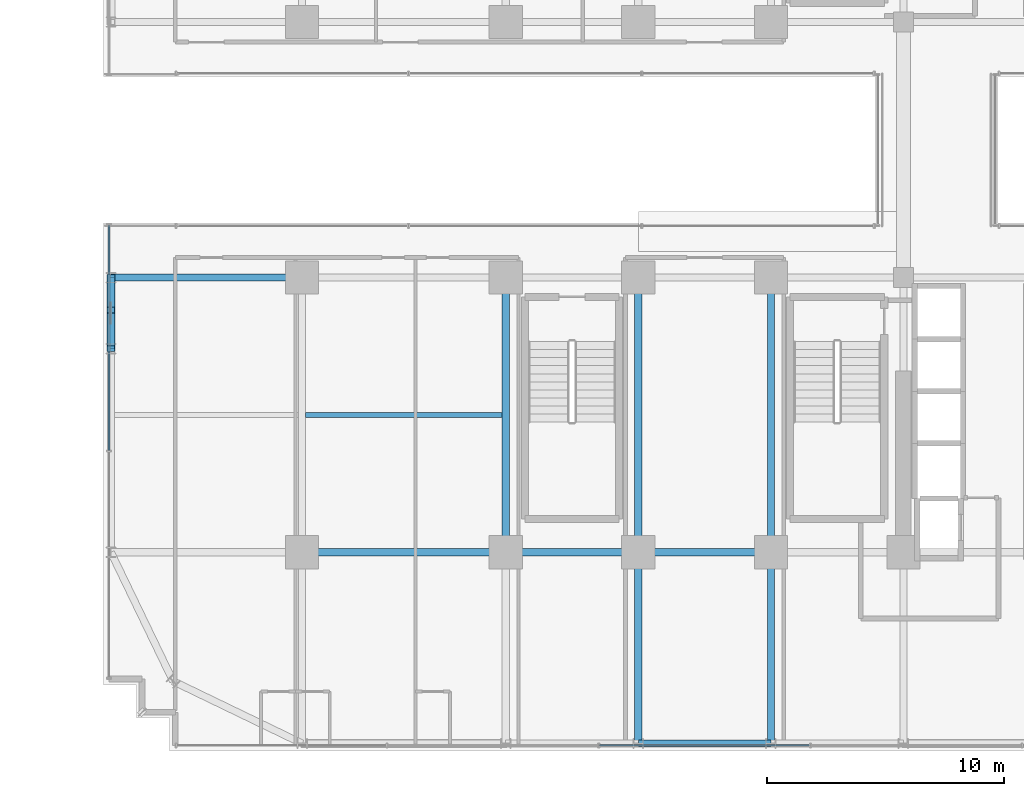
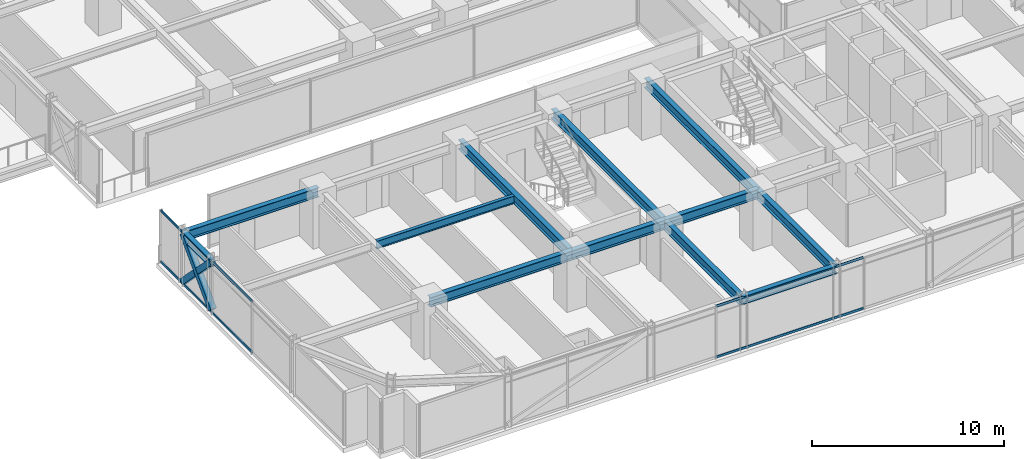
# One storey, part 6 of 43: 12 beams, 7 members, 2 elements without a shape of their own.
"""IFC4 building model written with IfcOpenShell, lengths in metres."""

from ifc_helpers import new_model, si_unit, direction, frame, origin, origin_2d, place, context, subcontext, project, spatial, hollow_rectangle, i_section, extrude, source, transform, mapped, material, material_profile, profile_set, type_object, element, aggregate, save


model = new_model("IFC4")

# Units and contexts
model_context = context("Model", 3, precision=1e-05, world=origin(), true_north=direction((0.0, 1.0)))
body_context = subcontext(model_context, "Body", "Model", "MODEL_VIEW")
ifc_project = project(units=[si_unit("LENGTHUNIT", "METRE"), si_unit("AREAUNIT", "SQUARE_METRE"), si_unit("VOLUMEUNIT", "CUBIC_METRE"), si_unit("PLANEANGLEUNIT", "RADIAN"), si_unit("MASSUNIT", "GRAM", prefix="KILO")], contexts=[model_context])

# Site, building, storey
site_placement = place(None, origin())
site = spatial("IfcSite", under=ifc_project, at=site_placement, CompositionType="ELEMENT")
building_placement = place(site_placement, origin())
building = spatial("IfcBuilding", under=site, at=building_placement, Name="Nahalor Promenade Grand Hotel", CompositionType="ELEMENT")
storey_placement = place(building_placement, frame((0.0, 0.0, 47.0)))
storey = spatial("IfcBuildingStorey", under=building, at=storey_placement, Name="L10", CompositionType="ELEMENT", Elevation=47.0)

# Beams
ifc_material_1 = material(Name="Steel S355JR", Category="steel")
ifc_material_profile_1 = material_profile(ifc_material_1, i_section(OverallWidth=0.3, OverallDepth=0.6, WebThickness=0.0155, FlangeThickness=0.03, at=origin_2d()), Name="HEB 600")
ifc_profile_set_1 = profile_set([ifc_material_profile_1], Name="Steel S355JR")
beam_type_1 = type_object("IfcBeamType", Name="Beam-Girder-HEB600", PredefinedType="BEAM", material=ifc_profile_set_1)
shared_shape_1 = source(origin(), body_context, "Body", "SweptSolid", [
    extrude(i_section(OverallWidth=0.3, OverallDepth=0.6, WebThickness=0.0155, FlangeThickness=0.03, at=origin_2d()), origin(), (0.0, 0.0, 1.0), 8.60009765625),
])
beam_1_placement = place(storey_placement, frame((-17.0, -17.0, 3.070068359375), z_axis=(1.0, 0.0, 0.0), x_axis=(0.0, 1.0, 0.0)))
element("IfcBeam", 1, at=beam_1_placement, inside=storey, type_object=beam_type_1, Name="BM-L10-GX-0-1", PredefinedType="BEAM", context=body_context, shape_type="MappedRepresentation", body=[
    mapped(shared_shape_1, transform((0.0, 0.0, 0.0), scale=1.0)),
])
shared_shape_2 = source(origin(), body_context, "Body", "SweptSolid", [
    extrude(i_section(OverallWidth=0.3, OverallDepth=0.6, WebThickness=0.0155, FlangeThickness=0.03, at=origin_2d()), origin(), (0.0, 0.0, 1.0), 5.599853515625),
])
beam_2_placement = place(storey_placement, frame((-8.39990234375, -17.0, 3.070068359375), z_axis=(1.0, 0.0, 0.0), x_axis=(0.0, 1.0, 0.0)))
element("IfcBeam", 2, at=beam_2_placement, inside=storey, type_object=beam_type_1, Name="BM-L10-GX-0-2", PredefinedType="BEAM", context=body_context, shape_type="MappedRepresentation", body=[
    mapped(shared_shape_2, transform((0.0, 0.0, 0.0), scale=1.0)),
])
shared_shape_3 = source(origin(), body_context, "Body", "SweptSolid", [
    extrude(i_section(OverallWidth=0.3, OverallDepth=0.6, WebThickness=0.0155, FlangeThickness=0.03, at=origin_2d()), origin(), (0.0, 0.0, 1.0), 5.60009765625),
])
beam_3_placement = place(storey_placement, frame((-2.800048828125, -17.0, 3.070068359375), z_axis=(1.0, 0.0, 0.0), x_axis=(0.0, 1.0, 0.0)))
element("IfcBeam", 3, at=beam_3_placement, inside=storey, type_object=beam_type_1, Name="BM-L10-GX-0-3", PredefinedType="BEAM", context=body_context, shape_type="MappedRepresentation", body=[
    mapped(shared_shape_3, transform((0.0, 0.0, 0.0), scale=1.0)),
])
shared_shape_4 = source(origin(), body_context, "Body", "SweptSolid", [
    extrude(i_section(OverallWidth=0.3, OverallDepth=0.6, WebThickness=0.0155, FlangeThickness=0.03, at=origin_2d()), origin(), (0.0, 0.0, 1.0), 11.60009765625),
])
for number, where, z_axis, x_axis, name in (
    (4, (-8.39990234375, -17.0, 3.070068359375), (0.0, 1.0, 0.0), (-1.0, 0.0, 0.0), "BM-L10-GY-1-1"),
    (5, (-2.800048828125, -17.0, 3.070068359375), (0.0, 1.0, 0.0), (-1.0, 0.0, 0.0), "BM-L10-GY-2-1"),
    (6, (2.800048828125, -17.0, 3.070068359375), (0.0, 1.0, 0.0), (-1.0, 0.0, 0.0), "BM-L10-GY-3-1"),
):
    element("IfcBeam", number, at=place(storey_placement, frame(where, z_axis=z_axis, x_axis=x_axis)), inside=storey, type_object=beam_type_1, Name=name, PredefinedType="BEAM", context=body_context, shape_type="MappedRepresentation", body=[
        mapped(shared_shape_4, transform((0.0, 0.0, 0.0), scale=1.0)),
    ])
ifc_material_profile_2 = material_profile(ifc_material_1, i_section(OverallWidth=0.3, OverallDepth=0.5, WebThickness=0.0145, FlangeThickness=0.028, at=origin_2d()), Name="HEB 500")
ifc_profile_set_2 = profile_set([ifc_material_profile_2], Name="Steel S355JR")
beam_type_2 = type_object("IfcBeamType", Name="Beam-Spandrel-HEB500", PredefinedType="SPANDREL", material=ifc_profile_set_2)
shared_shape_5 = source(origin(), body_context, "Body", "SweptSolid", [
    extrude(i_section(OverallWidth=0.3, OverallDepth=0.5, WebThickness=0.0145, FlangeThickness=0.028, at=origin_2d()), origin(), (0.0, 0.0, 1.0), 5.60009765625),
])
beam_4_placement = place(storey_placement, frame((-2.800048828125, -25.080078125, 3.1201171875), z_axis=(1.0, 0.0, 0.0), x_axis=(0.0, 1.0, 0.0)))
element("IfcBeam", 7, at=beam_4_placement, inside=storey, type_object=beam_type_2, Name="BM-L10-SP-S-2", PredefinedType="SPANDREL", context=body_context, shape_type="MappedRepresentation", body=[
    mapped(shared_shape_5, transform((0.0, 0.0, 0.0), scale=1.0)),
])
shared_shape_6 = source(origin(), body_context, "Body", "SweptSolid", [
    extrude(i_section(OverallWidth=0.3, OverallDepth=0.5, WebThickness=0.0145, FlangeThickness=0.028, at=origin_2d()), origin(), (0.0, 0.0, 1.0), 3.0),
])
beam_5_placement = place(storey_placement, frame((-25.080078125, -8.39990234375, 3.1201171875), z_axis=(0.0, 1.0, 0.0), x_axis=(-1.0, 0.0, 0.0)))
element("IfcBeam", 8, at=beam_5_placement, inside=storey, type_object=beam_type_2, Name="BM-L10-SP-W-1", PredefinedType="SPANDREL", context=body_context, shape_type="MappedRepresentation", body=[
    mapped(shared_shape_6, transform((0.0, 0.0, 0.0), scale=1.0)),
])
ifc_material_profile_3 = material_profile(ifc_material_1, i_section(OverallWidth=0.2, OverallDepth=0.5, WebThickness=0.0102, FlangeThickness=0.016, at=origin_2d()), Name="IPE 500")
ifc_profile_set_3 = profile_set([ifc_material_profile_3], Name="Steel S355JR")
beam_type_3 = type_object("IfcBeamType", Name="Beam-Joist-IPE500", PredefinedType="JOIST", material=ifc_profile_set_3)
shared_shape_7 = source(origin(), body_context, "Body", "SweptSolid", [
    extrude(i_section(OverallWidth=0.2, OverallDepth=0.5, WebThickness=0.0102, FlangeThickness=0.016, at=origin_2d()), origin(), (0.0, 0.0, 1.0), 8.300048828125),
])
beam_6_placement = place(storey_placement, frame((-16.85009765625, -11.199951171875, 3.1201171875), z_axis=(1.0, 0.0, 0.0), x_axis=(0.0, 1.0, 0.0)))
element("IfcBeam", 9, at=beam_6_placement, inside=storey, type_object=beam_type_3, Name="BM-L10-JSW-0-1", PredefinedType="JOIST", context=body_context, shape_type="MappedRepresentation", body=[
    mapped(shared_shape_7, transform((0.0, 0.0, 0.0), scale=1.0)),
])
shared_shape_8 = source(origin(), body_context, "Body", "SweptSolid", [
    extrude(i_section(OverallWidth=0.3, OverallDepth=0.6, WebThickness=0.0155, FlangeThickness=0.03, at=origin_2d()), origin(), (0.0, 0.0, 1.0), 8.080078125),
])
for number, where, z_axis, x_axis, name in (
    (10, (-25.080078125, -5.39990234375, 3.070068359375), (1.0, 0.0, 0.0), (0.0, 1.0, 0.0), "BM-L10-GX-1-0"),
    (11, (-2.800048828125, -25.080078125, 3.070068359375), (0.0, 1.0, 0.0), (-1.0, 0.0, 0.0), "BM-L10-GY-2-0"),
    (12, (2.800048828125, -25.080078125, 3.070068359375), (0.0, 1.0, 0.0), (-1.0, 0.0, 0.0), "BM-L10-GY-3-0"),
):
    element("IfcBeam", number, at=place(storey_placement, frame(where, z_axis=z_axis, x_axis=x_axis)), inside=storey, type_object=beam_type_1, Name=name, PredefinedType="BEAM", context=body_context, shape_type="MappedRepresentation", body=[
        mapped(shared_shape_8, transform((0.0, 0.0, 0.0), scale=1.0)),
    ])

# Members
ifc_material_profile_4 = material_profile(ifc_material_1, hollow_rectangle(XDim=0.35, YDim=0.35, WallThickness=0.02, at=origin_2d()), Name="SHS 350x350x20")
ifc_profile_set_4 = profile_set([ifc_material_profile_4], Name="Steel S355JR")
member_type_1 = type_object("IfcMemberType", Name="Mem-VoidBrace-SHS350", PredefinedType="BRACE", material=ifc_profile_set_4)
shared_shape_9 = source(origin(), body_context, "Body", "SweptSolid", [
    extrude(hollow_rectangle(XDim=0.35, YDim=0.35, WallThickness=0.02, at=origin_2d()), origin(), (0.0, 0.0, 1.0), 4.29248046875),
])
member_1_placement = place(storey_placement, frame((-25.080078125, -8.39990234375, 0.14990234375), z_axis=(0.0, 0.698897904453, 0.715221447631), x_axis=(-1.0, 0.0, 0.0)))
element("IfcMember", 13, at=member_1_placement, inside=storey, type_object=member_type_1, Name="EXO-L10-VX1-W0", PredefinedType="BRACE", context=body_context, shape_type="MappedRepresentation", body=[
    mapped(shared_shape_9, transform((0.0, 0.0, 0.0), scale=1.0)),
])
shared_shape_10 = source(origin(), body_context, "Body", "SweptSolid", [
    extrude(hollow_rectangle(XDim=0.35, YDim=0.35, WallThickness=0.02, at=origin_2d()), origin(), (0.0, 0.0, 1.0), 1.959228515625),
])
member_2_placement = place(storey_placement, frame((-25.080078125, -5.39990234375, 0.14990234375), z_axis=(0.0, -0.698898183234, 0.715221175212), x_axis=(1.0, 0.0, 0.0)))
element("IfcMember", 14, at=member_2_placement, inside=storey, type_object=member_type_1, Name="EXO-L10-VX2-W0A", PredefinedType="BRACE", context=body_context, shape_type="MappedRepresentation", body=[
    mapped(shared_shape_10, transform((0.0, 0.0, 0.0), scale=1.0)),
])
shared_shape_11 = source(origin(), body_context, "Body", "SweptSolid", [
    extrude(hollow_rectangle(XDim=0.35, YDim=0.35, WallThickness=0.02, at=origin_2d()), origin(), (0.0, 0.0, 1.0), 1.958984375),
])
member_3_placement = place(storey_placement, frame((-25.080078125, -7.03076171875, 1.81884765625), z_axis=(0.0, -0.698896728293, 0.715222596946), x_axis=(1.0, 0.0, 0.0)))
element("IfcMember", 15, at=member_3_placement, inside=storey, type_object=member_type_1, Name="EXO-L10-VX2-W0B", PredefinedType="BRACE", context=body_context, shape_type="MappedRepresentation", body=[
    mapped(shared_shape_11, transform((0.0, 0.0, 0.0), scale=1.0)),
])

# Curtain wall, members
ifc_material_2 = material(Name="Anodised Bronze Aluminium EN AW-6063 T6", Category="aluminium")
curtain_wall_type = type_object("IfcCurtainWallType", Name="CW3 Elliptical-Void Collar Unitised Curtain Wall", PredefinedType="USERDEFINED", material=ifc_material_2)
curtain_wall_1_placement = place(storey_placement, origin())
curtain_wall_1 = element("IfcCurtainWall", 16, at=curtain_wall_1_placement, inside=storey, type_object=curtain_wall_type, Name="L10 Curtain Wall CW-L10-S-1", ObjectType="UNITISED_CURTAIN_WALL", PredefinedType="USERDEFINED")
ifc_material_profile_5 = material_profile(ifc_material_2, hollow_rectangle(XDim=0.07, YDim=0.14, WallThickness=0.004, at=origin_2d()), Name="CWT 70x140x4")
ifc_profile_set_5 = profile_set([ifc_material_profile_5], Name="Anodised Bronze Aluminium EN AW-6063 T6")
member_type_2 = type_object("IfcMemberType", Name="CWT3 Void Collar Transom 70x140", PredefinedType="USERDEFINED", material=ifc_profile_set_5)
shared_shape_12 = source(origin(), body_context, "Body", "SweptSolid", [
    extrude(hollow_rectangle(XDim=0.07, YDim=0.14, WallThickness=0.004, at=origin_2d()), origin(), (0.0, 0.0, 1.0), 8.8740234375),
])
member_4_placement = place(storey_placement, frame((-4.43701171875, -25.159912109375, 0.070068359375), z_axis=(1.0, 0.0, 0.0), x_axis=(0.0, 1.0, 0.0)))
member_4 = element("IfcMember", 17, at=member_4_placement, type_object=member_type_2, Name="CW-L10-S-1 Transom 2-0", ObjectType="TRANSOM", PredefinedType="USERDEFINED", context=body_context, shape_type="MappedRepresentation", body=[
    mapped(shared_shape_12, transform((0.0, 0.0, 0.0), scale=1.0)),
])
member_5_placement = place(storey_placement, frame((-4.43701171875, -25.159912109375, 3.300048828125), z_axis=(1.0, 0.0, 0.0), x_axis=(0.0, 1.0, 0.0)))
member_5 = element("IfcMember", 18, at=member_5_placement, type_object=member_type_2, Name="CW-L10-S-1 Transom 2-1", ObjectType="TRANSOM", PredefinedType="USERDEFINED", context=body_context, shape_type="MappedRepresentation", body=[
    mapped(shared_shape_12, transform((0.0, 0.0, 0.0), scale=1.0)),
])
aggregate(curtain_wall_1, [member_4, member_5])

curtain_wall_2_placement = place(storey_placement, origin())
curtain_wall_2 = element("IfcCurtainWall", 19, at=curtain_wall_2_placement, inside=storey, type_object=curtain_wall_type, Name="L10 Curtain Wall CW-L10-W-1", ObjectType="UNITISED_CURTAIN_WALL", PredefinedType="USERDEFINED")
shared_shape_13 = source(origin(), body_context, "Body", "SweptSolid", [
    extrude(hollow_rectangle(XDim=0.07, YDim=0.14, WallThickness=0.004, at=origin_2d()), origin(), (0.0, 0.0, 1.0), 9.525146484375),
])
member_6_placement = place(storey_placement, frame((-25.159912109375, -12.695068359375, 0.070068359375), z_axis=(0.0, 1.0, 0.0), x_axis=(-1.0, 0.0, 0.0)))
member_6 = element("IfcMember", 20, at=member_6_placement, type_object=member_type_2, Name="CW-L10-W-1 Transom 1-0", ObjectType="TRANSOM", PredefinedType="USERDEFINED", context=body_context, shape_type="MappedRepresentation", body=[
    mapped(shared_shape_13, transform((0.0, 0.0, 0.0), scale=1.0)),
])
member_7_placement = place(storey_placement, frame((-25.159912109375, -12.695068359375, 3.300048828125), z_axis=(0.0, 1.0, 0.0), x_axis=(-1.0, 0.0, 0.0)))
member_7 = element("IfcMember", 21, at=member_7_placement, type_object=member_type_2, Name="CW-L10-W-1 Transom 1-1", ObjectType="TRANSOM", PredefinedType="USERDEFINED", context=body_context, shape_type="MappedRepresentation", body=[
    mapped(shared_shape_13, transform((0.0, 0.0, 0.0), scale=1.0)),
])
aggregate(curtain_wall_2, [member_6, member_7])

save(model, "model.ifc")
